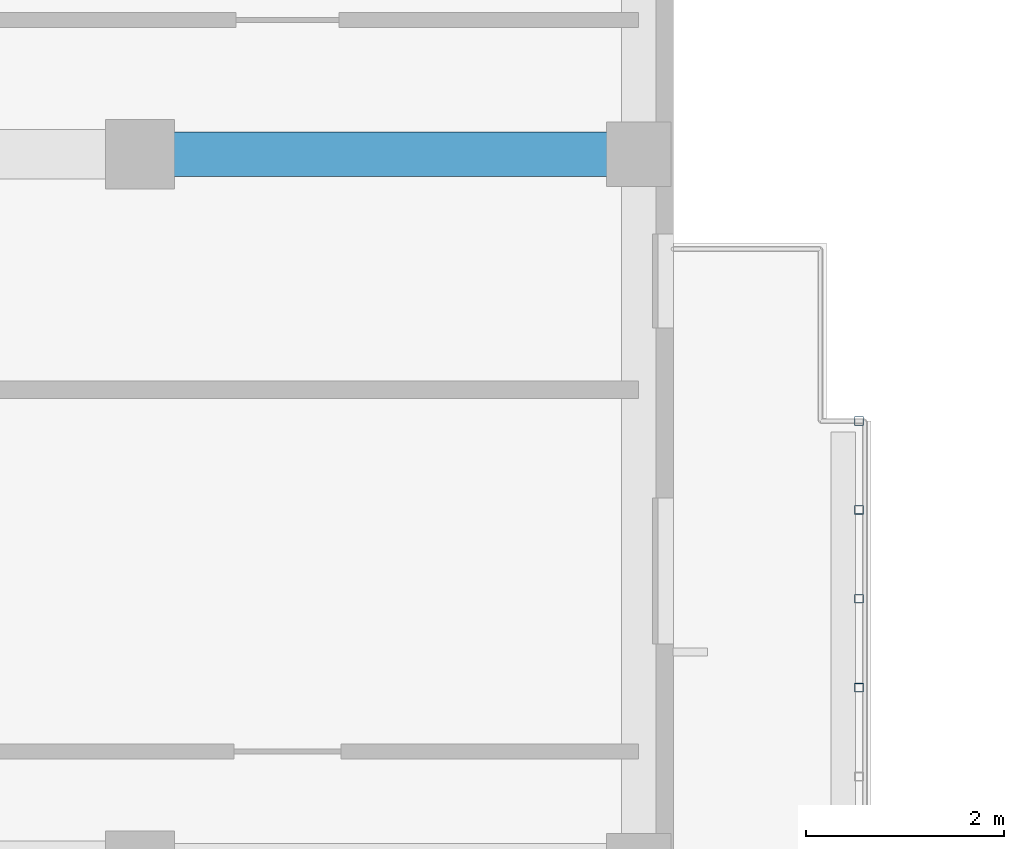
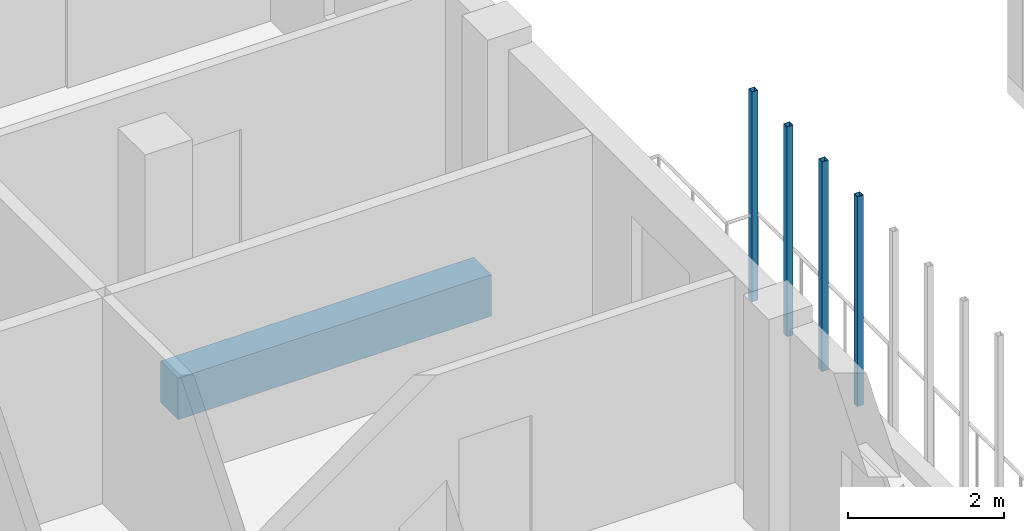
# One storey, part 6 of 73: 4 members, 1 beam.
"""IFC4 building model written with IfcOpenShell, lengths in metres."""

from ifc_helpers import new_model, si_unit, derived_unit, direction, frame, origin, origin_2d, place, context, subcontext, project, spatial, rectangle, hollow_rectangle, extrude, material, material_profile, profile_set, type_object, element, save


model = new_model("IFC4")

# Units and contexts
model_context = context("Model", 3, precision=1e-05, world=origin(), true_north=direction((0.0, 1.0)))
body_context = subcontext(model_context, "Body", "Model", "MODEL_VIEW")
ifc_project = project(units=[si_unit("LENGTHUNIT", "METRE"), si_unit("AREAUNIT", "SQUARE_METRE"), si_unit("VOLUMEUNIT", "CUBIC_METRE"), si_unit("PLANEANGLEUNIT", "RADIAN"), si_unit("MASSUNIT", "GRAM", prefix="KILO"), derived_unit("THERMALTRANSMITTANCEUNIT", [(si_unit("MASSUNIT", "GRAM", prefix="KILO"), 1), (si_unit("TIMEUNIT", "SECOND"), -3), (si_unit("THERMODYNAMICTEMPERATUREUNIT", "KELVIN"), -1)])], contexts=[model_context])

# Site, building, storey
site_placement = place(None, origin())
site = spatial("IfcSite", under=ifc_project, at=site_placement, CompositionType="ELEMENT")
building_placement = place(site_placement, origin())
building = spatial("IfcBuilding", under=site, at=building_placement, Name="Ochrekiln Boulevard Commons", CompositionType="ELEMENT")
storey_placement = place(building_placement, frame((0.0, 0.0, 8.574951171875)))
storey = spatial("IfcBuildingStorey", under=building, at=storey_placement, Name="L02", CompositionType="ELEMENT", Elevation=8.574951171875)

# Beam
ifc_material_1 = material(Name="Concrete C35/45", Category="concrete")
ifc_material_profile_1 = material_profile(ifc_material_1, rectangle(XDim=0.449951171875, YDim=0.64990234375, at=origin_2d()), Name="RC-BM-450x650")
ifc_profile_set_1 = profile_set([ifc_material_profile_1], Name="Concrete C35/45")
beam_type = type_object("IfcBeamType", Name="BM-RC-450x650", PredefinedType="BEAM", material=ifc_profile_set_1)
beam_placement = place(storey_placement, frame((16.409912109375, 21.60009765625, -0.5849609375), z_axis=(1.0, 0.0, 0.0), x_axis=(0.0, 1.0, 0.0)))
element("IfcBeam", 1, at=beam_placement, inside=storey, type_object=beam_type, Name="Block D L02 Beam B-4565 X11", PredefinedType="BEAM", context=body_context, shape_type="SweptSolid", body=[
    extrude(rectangle(XDim=0.449951171875, YDim=0.64990234375, at=origin_2d()), origin(), (0.0, 0.0, 1.0), 4.630126953125),
])

# Members
ifc_material_2 = material(Name="Steel A500 Grade C", Category="steel")
ifc_material_profile_2 = material_profile(ifc_material_2, hollow_rectangle(XDim=0.090087890625, YDim=0.090087890625, WallThickness=0.00634765625, at=origin_2d()), Name="HSS90X90X6.4")
ifc_profile_set_2 = profile_set([ifc_material_profile_2], Name="Steel A500 Grade C")
member_type = type_object("IfcMemberType", Name="MEM-PST-HSS90", PredefinedType="POST", material=ifc_profile_set_2)
for number, where, z_axis, x_axis, name in (
    (2, (23.47998046875, 16.199951171875, 0.0), (0.0, 0.0, 1.0), (1.0, 0.0, 0.0), "Block D L02 Slim Vertical Balcony Post (316)"),
    (3, (23.47998046875, 17.10009765625, 0.0), (0.0, 0.0, 1.0), (1.0, 0.0, 0.0), "Block D L02 Slim Vertical Balcony Post (317)"),
    (4, (23.47998046875, 18.0, 0.0), (0.0, 0.0, 1.0), (1.0, 0.0, 0.0), "Block D L02 Slim Vertical Balcony Post (318)"),
    (5, (23.47998046875, 18.89990234375, 0.0), (0.0, 0.0, 1.0), (1.0, 0.0, 0.0), "Block D L02 Slim Vertical Balcony Post (319)"),
):
    element("IfcMember", number, at=place(storey_placement, frame(where, z_axis=z_axis, x_axis=x_axis)), inside=storey, type_object=member_type, Name=name, PredefinedType="POST", context=body_context, shape_type="SweptSolid", body=[
        extrude(hollow_rectangle(XDim=0.090087890625, YDim=0.090087890625, WallThickness=0.00634765625, at=origin_2d()), origin(), (0.0, 0.0, 1.0), 3.280029296875),
    ])

save(model, "model.ifc")
